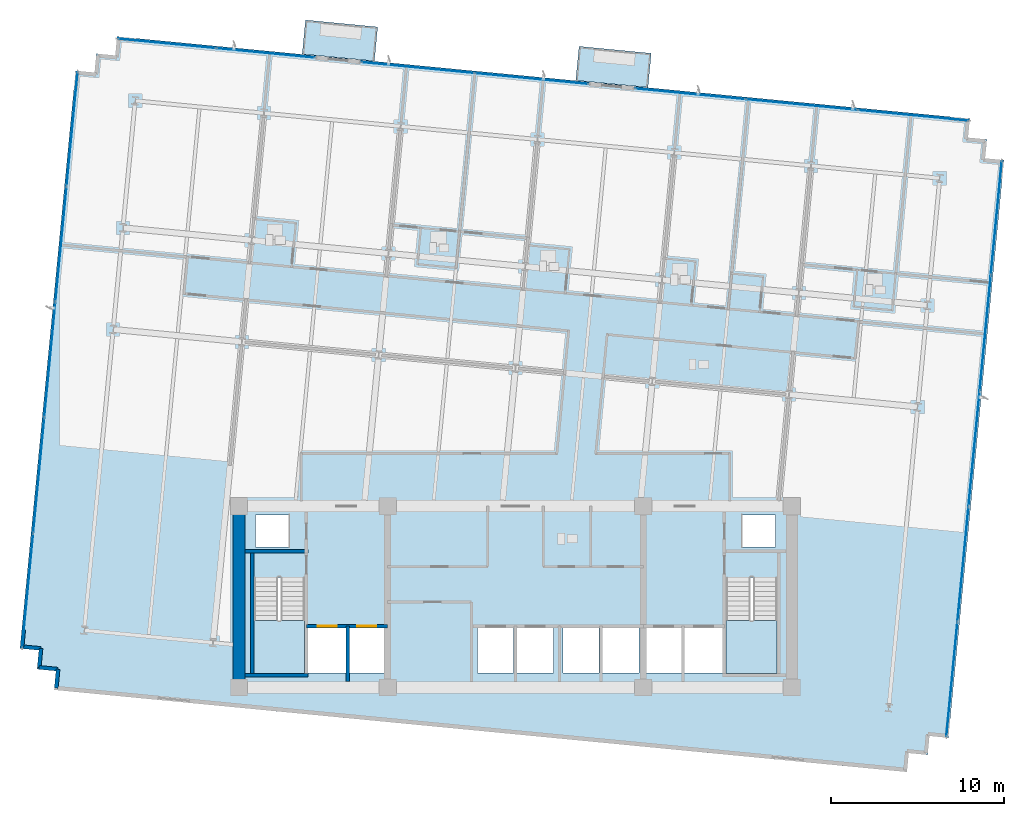
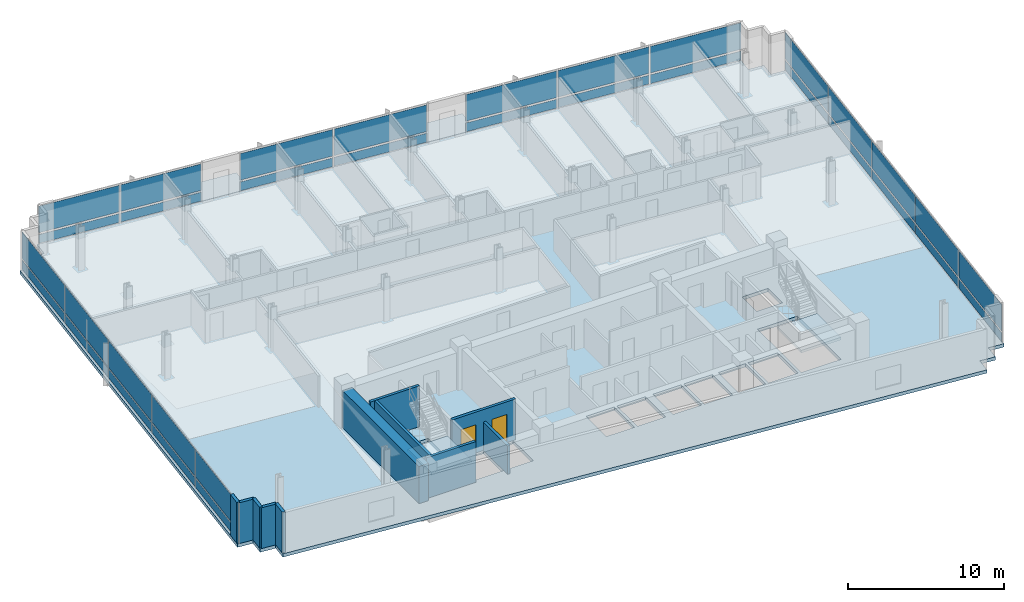
# One storey, part 9 of 17: 34 plates, 11 walls, 5 slabs, 2 doors, 2 openings, 7 elements without a shape of their own.
"""IFC4 building model written with IfcOpenShell, lengths in metres."""

from ifc_helpers import new_model, si_unit, direction, frame, frame_2d, origin, origin_2d, place, context, subcontext, project, spatial, polyline, rectangle, outline, extrude, material, layer, layer_set, type_object, element, fill, aggregate, save


model = new_model("IFC4")

# Units and contexts
model_context = context("Model", 3, precision=1e-05, world=origin(), true_north=direction((0.0, 1.0)))
body_context = subcontext(model_context, "Body", "Model", "MODEL_VIEW")
ifc_project = project(units=[si_unit("LENGTHUNIT", "METRE"), si_unit("AREAUNIT", "SQUARE_METRE"), si_unit("VOLUMEUNIT", "CUBIC_METRE"), si_unit("PLANEANGLEUNIT", "RADIAN"), si_unit("MASSUNIT", "GRAM", prefix="KILO")], contexts=[model_context])

# Site, building, storey
site_placement = place(None, origin())
site = spatial("IfcSite", under=ifc_project, at=site_placement, CompositionType="ELEMENT")
building_placement = place(site_placement, origin())
building = spatial("IfcBuilding", under=site, at=building_placement, Name="Solmavex Isthmus Hotel", CompositionType="ELEMENT")
storey_placement = place(building_placement, frame((0.0, 0.0, 139.35009765625)))
storey = spatial("IfcBuildingStorey", under=building, at=storey_placement, Name="L37", CompositionType="ELEMENT", Elevation=139.35009765625)

# Curtain wall, plates
ifc_material_1 = material(Name="Aluminium alloy 6063-T6", Category="aluminium")
curtain_wall_type = type_object("IfcCurtainWallType", Name="CW-SYS-03", PredefinedType="NOTDEFINED", material=ifc_material_1)
curtain_wall_1_placement = place(storey_placement, origin())
curtain_wall_1 = element("IfcCurtainWall", 1, at=curtain_wall_1_placement, inside=storey, type_object=curtain_wall_type, Name="Stick Curtain Wall CWL-L37-N1", PredefinedType="NOTDEFINED")
ifc_material_2 = material(Name="Clear low-E laminated glass", Category="glass")
ifc_layer_1 = layer(ifc_material_2, 0.030029296875)
ifc_layer_set_1 = layer_set([ifc_layer_1], Name="Clear low-E laminated glass")
plate_type = type_object("IfcPlateType", Name="CW-SYS-03-PNL", PredefinedType="CURTAIN_PANEL", material=ifc_layer_set_1)
plate_1_placement = place(storey_placement, frame((-20.1806640625, 24.291259765625, 0.139892578125), z_axis=(0.0, 0.0, 1.0), x_axis=(0.995396220659, -0.095845521008, 0.0)))
plate_1 = element("IfcPlate", 2, at=plate_1_placement, type_object=plate_type, Name="CW-03 panel 1.1", PredefinedType="CURTAIN_PANEL", context=body_context, shape_type="SweptSolid", body=[
    extrude(rectangle(XDim=5.677978515625, YDim=0.030029296875, at=origin_2d()), origin(), (0.0, 0.0, 1.0), 0.68994140625),
])
plate_2_placement = place(storey_placement, frame((-20.1806640625, 24.291259765625, 0.969970703125), z_axis=(0.0, 0.0, 1.0), x_axis=(0.995396220659, -0.095845521008, 0.0)))
plate_2 = element("IfcPlate", 3, at=plate_2_placement, type_object=plate_type, Name="CW-03 panel 1.2", PredefinedType="CURTAIN_PANEL", context=body_context, shape_type="SweptSolid", body=[
    extrude(rectangle(XDim=5.677978515625, YDim=0.030029296875, at=origin_2d()), origin(), (0.0, 0.0, 1.0), 2.080078125),
])
plate_3_placement = place(storey_placement, frame((-14.459228515625, 23.740234375, 0.139892578125), z_axis=(0.0, 0.0, 1.0), x_axis=(0.995396220659, -0.095845521008, 0.0)))
plate_3 = element("IfcPlate", 4, at=plate_3_placement, type_object=plate_type, Name="CW-03 panel 2.1", PredefinedType="CURTAIN_PANEL", context=body_context, shape_type="SweptSolid", body=[
    extrude(rectangle(XDim=5.677978515625, YDim=0.030029296875, at=origin_2d()), origin(), (0.0, 0.0, 1.0), 0.68994140625),
])
plate_4_placement = place(storey_placement, frame((-14.459228515625, 23.740234375, 0.969970703125), z_axis=(0.0, 0.0, 1.0), x_axis=(0.995396220659, -0.095845521008, 0.0)))
plate_4 = element("IfcPlate", 5, at=plate_4_placement, type_object=plate_type, Name="CW-03 panel 2.2", PredefinedType="CURTAIN_PANEL", context=body_context, shape_type="SweptSolid", body=[
    extrude(rectangle(XDim=5.677978515625, YDim=0.030029296875, at=origin_2d()), origin(), (0.0, 0.0, 1.0), 2.080078125),
])
aggregate(curtain_wall_1, [plate_1, plate_2, plate_3, plate_4])

curtain_wall_2_placement = place(storey_placement, origin())
curtain_wall_2 = element("IfcCurtainWall", 6, at=curtain_wall_2_placement, inside=storey, type_object=curtain_wall_type, Name="Stick Curtain Wall CWL-L37-N2", PredefinedType="NOTDEFINED")
plate_5_placement = place(storey_placement, frame((-5.645263671875, 22.8916015625, 0.139892578125), z_axis=(0.0, 0.0, 1.0), x_axis=(0.995396257521, -0.095845138178, 0.0)))
plate_5 = element("IfcPlate", 7, at=plate_5_placement, type_object=plate_type, Name="CW-03 panel 1.1", PredefinedType="CURTAIN_PANEL", context=body_context, shape_type="SweptSolid", body=[
    extrude(rectangle(XDim=6.551025390625, YDim=0.030029296875, at=origin_2d()), origin(), (0.0, 0.0, 1.0), 0.68994140625),
])
plate_6_placement = place(storey_placement, frame((-5.645263671875, 22.8916015625, 0.969970703125), z_axis=(0.0, 0.0, 1.0), x_axis=(0.995396257521, -0.095845138178, 0.0)))
plate_6 = element("IfcPlate", 8, at=plate_6_placement, type_object=plate_type, Name="CW-03 panel 1.2", PredefinedType="CURTAIN_PANEL", context=body_context, shape_type="SweptSolid", body=[
    extrude(rectangle(XDim=6.551025390625, YDim=0.030029296875, at=origin_2d()), origin(), (0.0, 0.0, 1.0), 2.080078125),
])
plate_7_placement = place(storey_placement, frame((0.945068359375, 22.257080078125, 0.139892578125), z_axis=(0.0, 0.0, 1.0), x_axis=(0.995396257521, -0.095845138178, 0.0)))
plate_7 = element("IfcPlate", 9, at=plate_7_placement, type_object=plate_type, Name="CW-03 panel 2.1", PredefinedType="CURTAIN_PANEL", context=body_context, shape_type="SweptSolid", body=[
    extrude(rectangle(XDim=6.551025390625, YDim=0.030029296875, at=origin_2d()), origin(), (0.0, 0.0, 1.0), 0.68994140625),
])
plate_8_placement = place(storey_placement, frame((0.945068359375, 22.257080078125, 0.969970703125), z_axis=(0.0, 0.0, 1.0), x_axis=(0.995396257521, -0.095845138178, 0.0)))
plate_8 = element("IfcPlate", 10, at=plate_8_placement, type_object=plate_type, Name="CW-03 panel 2.2", PredefinedType="CURTAIN_PANEL", context=body_context, shape_type="SweptSolid", body=[
    extrude(rectangle(XDim=6.551025390625, YDim=0.030029296875, at=origin_2d()), origin(), (0.0, 0.0, 1.0), 2.080078125),
])
aggregate(curtain_wall_2, [plate_5, plate_6, plate_7, plate_8])

curtain_wall_3_placement = place(storey_placement, origin())
curtain_wall_3 = element("IfcCurtainWall", 11, at=curtain_wall_3_placement, inside=storey, type_object=curtain_wall_type, Name="Stick Curtain Wall CWL-L37-N3", PredefinedType="NOTDEFINED")
plate_9_placement = place(storey_placement, frame((10.119384765625, 21.373779296875, 0.139892578125), z_axis=(0.0, 0.0, 1.0), x_axis=(0.995396200025, -0.095845735304, 0.0)))
plate_9 = element("IfcPlate", 12, at=plate_9_placement, type_object=plate_type, Name="CW-03 panel 1.1", PredefinedType="CURTAIN_PANEL", context=body_context, shape_type="SweptSolid", body=[
    extrude(rectangle(XDim=6.40234375, YDim=0.030029296875, at=origin_2d()), origin(), (0.0, 0.0, 1.0), 0.68994140625),
])
plate_10_placement = place(storey_placement, frame((10.119384765625, 21.373779296875, 0.969970703125), z_axis=(0.0, 0.0, 1.0), x_axis=(0.995396200025, -0.095845735304, 0.0)))
plate_10 = element("IfcPlate", 13, at=plate_10_placement, type_object=plate_type, Name="CW-03 panel 1.2", PredefinedType="CURTAIN_PANEL", context=body_context, shape_type="SweptSolid", body=[
    extrude(rectangle(XDim=6.40234375, YDim=0.030029296875, at=origin_2d()), origin(), (0.0, 0.0, 1.0), 2.080078125),
])
plate_11_placement = place(storey_placement, frame((16.579345703125, 20.751708984375, 0.139892578125), z_axis=(0.0, 0.0, 1.0), x_axis=(0.995396200025, -0.095845735304, 0.0)))
plate_11 = element("IfcPlate", 14, at=plate_11_placement, type_object=plate_type, Name="CW-03 panel 2.1", PredefinedType="CURTAIN_PANEL", context=body_context, shape_type="SweptSolid", body=[
    extrude(rectangle(XDim=6.437255859375, YDim=0.030029296875, at=origin_2d()), origin(), (0.0, 0.0, 1.0), 0.68994140625),
])
plate_12_placement = place(storey_placement, frame((16.579345703125, 20.751708984375, 0.969970703125), z_axis=(0.0, 0.0, 1.0), x_axis=(0.995396200025, -0.095845735304, 0.0)))
plate_12 = element("IfcPlate", 15, at=plate_12_placement, type_object=plate_type, Name="CW-03 panel 2.2", PredefinedType="CURTAIN_PANEL", context=body_context, shape_type="SweptSolid", body=[
    extrude(rectangle(XDim=6.437255859375, YDim=0.030029296875, at=origin_2d()), origin(), (0.0, 0.0, 1.0), 2.080078125),
])
plate_13_placement = place(storey_placement, frame((23.039306640625, 20.129638671875, 0.139892578125), z_axis=(0.0, 0.0, 1.0), x_axis=(0.995396200025, -0.095845735304, 0.0)))
plate_13 = element("IfcPlate", 16, at=plate_13_placement, type_object=plate_type, Name="CW-03 panel 3.1", PredefinedType="CURTAIN_PANEL", context=body_context, shape_type="SweptSolid", body=[
    extrude(rectangle(XDim=6.40234375, YDim=0.030029296875, at=origin_2d()), origin(), (0.0, 0.0, 1.0), 0.68994140625),
])
plate_14_placement = place(storey_placement, frame((23.039306640625, 20.129638671875, 0.969970703125), z_axis=(0.0, 0.0, 1.0), x_axis=(0.995396200025, -0.095845735304, 0.0)))
plate_14 = element("IfcPlate", 17, at=plate_14_placement, type_object=plate_type, Name="CW-03 panel 3.2", PredefinedType="CURTAIN_PANEL", context=body_context, shape_type="SweptSolid", body=[
    extrude(rectangle(XDim=6.40234375, YDim=0.030029296875, at=origin_2d()), origin(), (0.0, 0.0, 1.0), 2.080078125),
])
aggregate(curtain_wall_3, [plate_9, plate_10, plate_11, plate_12, plate_13, plate_14])

curtain_wall_4_placement = place(storey_placement, origin())
curtain_wall_4 = element("IfcCurtainWall", 18, at=curtain_wall_4_placement, inside=storey, type_object=curtain_wall_type, Name="Stick Curtain Wall CWL-L37-W1", PredefinedType="NOTDEFINED")
plate_15_placement = place(storey_placement, frame((-28.24267578125, -7.38427734375, 0.139892578125), z_axis=(0.0, 0.0, 1.0), x_axis=(0.09584583902, 0.995396190038, 0.0)))
plate_15 = element("IfcPlate", 19, at=plate_15_placement, type_object=plate_type, Name="CW-03 panel 1.1", PredefinedType="CURTAIN_PANEL", context=body_context, shape_type="SweptSolid", body=[
    extrude(rectangle(XDim=6.614990234375, YDim=0.030029296875, at=origin_2d()), origin(), (0.0, 0.0, 1.0), 0.68994140625),
])
plate_16_placement = place(storey_placement, frame((-28.24267578125, -7.38427734375, 0.969970703125), z_axis=(0.0, 0.0, 1.0), x_axis=(0.09584583902, 0.995396190038, 0.0)))
plate_16 = element("IfcPlate", 20, at=plate_16_placement, type_object=plate_type, Name="CW-03 panel 1.2", PredefinedType="CURTAIN_PANEL", context=body_context, shape_type="SweptSolid", body=[
    extrude(rectangle(XDim=6.614990234375, YDim=0.030029296875, at=origin_2d()), origin(), (0.0, 0.0, 1.0), 2.080078125),
])
plate_17_placement = place(storey_placement, frame((-27.600341796875, -0.712646484375, 0.139892578125), z_axis=(0.0, 0.0, 1.0), x_axis=(0.09584583902, 0.995396190038, 0.0)))
plate_17 = element("IfcPlate", 21, at=plate_17_placement, type_object=plate_type, Name="CW-03 panel 2.1", PredefinedType="CURTAIN_PANEL", context=body_context, shape_type="SweptSolid", body=[
    extrude(rectangle(XDim=6.64990234375, YDim=0.030029296875, at=origin_2d()), origin(), (0.0, 0.0, 1.0), 0.68994140625),
])
plate_18_placement = place(storey_placement, frame((-27.600341796875, -0.712646484375, 0.969970703125), z_axis=(0.0, 0.0, 1.0), x_axis=(0.09584583902, 0.995396190038, 0.0)))
plate_18 = element("IfcPlate", 22, at=plate_18_placement, type_object=plate_type, Name="CW-03 panel 2.2", PredefinedType="CURTAIN_PANEL", context=body_context, shape_type="SweptSolid", body=[
    extrude(rectangle(XDim=6.64990234375, YDim=0.030029296875, at=origin_2d()), origin(), (0.0, 0.0, 1.0), 2.080078125),
])
plate_19_placement = place(storey_placement, frame((-26.956298828125, 5.976318359375, 0.139892578125), z_axis=(0.0, 0.0, 1.0), x_axis=(0.09584583902, 0.995396190038, 0.0)))
plate_19 = element("IfcPlate", 23, at=plate_19_placement, type_object=plate_type, Name="CW-03 panel 3.1", PredefinedType="CURTAIN_PANEL", context=body_context, shape_type="SweptSolid", body=[
    extrude(rectangle(XDim=6.64990234375, YDim=0.030029296875, at=origin_2d()), origin(), (0.0, 0.0, 1.0), 0.68994140625),
])
plate_20_placement = place(storey_placement, frame((-26.956298828125, 5.976318359375, 0.969970703125), z_axis=(0.0, 0.0, 1.0), x_axis=(0.09584583902, 0.995396190038, 0.0)))
plate_20 = element("IfcPlate", 24, at=plate_20_placement, type_object=plate_type, Name="CW-03 panel 3.2", PredefinedType="CURTAIN_PANEL", context=body_context, shape_type="SweptSolid", body=[
    extrude(rectangle(XDim=6.64990234375, YDim=0.030029296875, at=origin_2d()), origin(), (0.0, 0.0, 1.0), 2.080078125),
])
plate_21_placement = place(storey_placement, frame((-26.312255859375, 12.665283203125, 0.139892578125), z_axis=(0.0, 0.0, 1.0), x_axis=(0.09584583902, 0.995396190038, 0.0)))
plate_21 = element("IfcPlate", 25, at=plate_21_placement, type_object=plate_type, Name="CW-03 panel 4.1", PredefinedType="CURTAIN_PANEL", context=body_context, shape_type="SweptSolid", body=[
    extrude(rectangle(XDim=6.64990234375, YDim=0.030029296875, at=origin_2d()), origin(), (0.0, 0.0, 1.0), 0.68994140625),
])
plate_22_placement = place(storey_placement, frame((-26.312255859375, 12.665283203125, 0.969970703125), z_axis=(0.0, 0.0, 1.0), x_axis=(0.09584583902, 0.995396190038, 0.0)))
plate_22 = element("IfcPlate", 26, at=plate_22_placement, type_object=plate_type, Name="CW-03 panel 4.2", PredefinedType="CURTAIN_PANEL", context=body_context, shape_type="SweptSolid", body=[
    extrude(rectangle(XDim=6.64990234375, YDim=0.030029296875, at=origin_2d()), origin(), (0.0, 0.0, 1.0), 2.080078125),
])
plate_23_placement = place(storey_placement, frame((-25.669677734375, 19.337158203125, 0.139892578125), z_axis=(0.0, 0.0, 1.0), x_axis=(0.09584583902, 0.995396190038, 0.0)))
plate_23 = element("IfcPlate", 27, at=plate_23_placement, type_object=plate_type, Name="CW-03 panel 5.1", PredefinedType="CURTAIN_PANEL", context=body_context, shape_type="SweptSolid", body=[
    extrude(rectangle(XDim=6.614990234375, YDim=0.030029296875, at=origin_2d()), origin(), (0.0, 0.0, 1.0), 0.68994140625),
])
plate_24_placement = place(storey_placement, frame((-25.669677734375, 19.337158203125, 0.969970703125), z_axis=(0.0, 0.0, 1.0), x_axis=(0.09584583902, 0.995396190038, 0.0)))
plate_24 = element("IfcPlate", 28, at=plate_24_placement, type_object=plate_type, Name="CW-03 panel 5.2", PredefinedType="CURTAIN_PANEL", context=body_context, shape_type="SweptSolid", body=[
    extrude(rectangle(XDim=6.614990234375, YDim=0.030029296875, at=origin_2d()), origin(), (0.0, 0.0, 1.0), 2.080078125),
])
aggregate(curtain_wall_4, [plate_15, plate_16, plate_17, plate_18, plate_19, plate_20, plate_21, plate_22, plate_23, plate_24])

curtain_wall_5_placement = place(storey_placement, origin())
curtain_wall_5 = element("IfcCurtainWall", 29, at=curtain_wall_5_placement, inside=storey, type_object=curtain_wall_type, Name="Stick Curtain Wall CWL-L37-E1", PredefinedType="NOTDEFINED")
plate_25_placement = place(storey_placement, frame((25.269775390625, -12.537109375, 0.139892578125), z_axis=(0.0, 0.0, 1.0), x_axis=(0.09584583902, 0.995396190038, 0.0)))
plate_25 = element("IfcPlate", 30, at=plate_25_placement, type_object=plate_type, Name="CW-03 panel 1.1", PredefinedType="CURTAIN_PANEL", context=body_context, shape_type="SweptSolid", body=[
    extrude(rectangle(XDim=6.614990234375, YDim=0.030029296875, at=origin_2d()), origin(), (0.0, 0.0, 1.0), 0.68994140625),
])
plate_26_placement = place(storey_placement, frame((25.269775390625, -12.537109375, 0.969970703125), z_axis=(0.0, 0.0, 1.0), x_axis=(0.09584583902, 0.995396190038, 0.0)))
plate_26 = element("IfcPlate", 31, at=plate_26_placement, type_object=plate_type, Name="CW-03 panel 1.2", PredefinedType="CURTAIN_PANEL", context=body_context, shape_type="SweptSolid", body=[
    extrude(rectangle(XDim=6.614990234375, YDim=0.030029296875, at=origin_2d()), origin(), (0.0, 0.0, 1.0), 2.080078125),
])
plate_27_placement = place(storey_placement, frame((25.912109375, -5.865478515625, 0.139892578125), z_axis=(0.0, 0.0, 1.0), x_axis=(0.09584583902, 0.995396190038, 0.0)))
plate_27 = element("IfcPlate", 32, at=plate_27_placement, type_object=plate_type, Name="CW-03 panel 2.1", PredefinedType="CURTAIN_PANEL", context=body_context, shape_type="SweptSolid", body=[
    extrude(rectangle(XDim=6.64990234375, YDim=0.030029296875, at=origin_2d()), origin(), (0.0, 0.0, 1.0), 0.68994140625),
])
plate_28_placement = place(storey_placement, frame((25.912109375, -5.865478515625, 0.969970703125), z_axis=(0.0, 0.0, 1.0), x_axis=(0.09584583902, 0.995396190038, 0.0)))
plate_28 = element("IfcPlate", 33, at=plate_28_placement, type_object=plate_type, Name="CW-03 panel 2.2", PredefinedType="CURTAIN_PANEL", context=body_context, shape_type="SweptSolid", body=[
    extrude(rectangle(XDim=6.64990234375, YDim=0.030029296875, at=origin_2d()), origin(), (0.0, 0.0, 1.0), 2.080078125),
])
plate_29_placement = place(storey_placement, frame((26.55615234375, 0.82373046875, 0.139892578125), z_axis=(0.0, 0.0, 1.0), x_axis=(0.09584583902, 0.995396190038, 0.0)))
plate_29 = element("IfcPlate", 34, at=plate_29_placement, type_object=plate_type, Name="CW-03 panel 3.1", PredefinedType="CURTAIN_PANEL", context=body_context, shape_type="SweptSolid", body=[
    extrude(rectangle(XDim=6.64990234375, YDim=0.030029296875, at=origin_2d()), origin(), (0.0, 0.0, 1.0), 0.68994140625),
])
plate_30_placement = place(storey_placement, frame((26.55615234375, 0.82373046875, 0.969970703125), z_axis=(0.0, 0.0, 1.0), x_axis=(0.09584583902, 0.995396190038, 0.0)))
plate_30 = element("IfcPlate", 35, at=plate_30_placement, type_object=plate_type, Name="CW-03 panel 3.2", PredefinedType="CURTAIN_PANEL", context=body_context, shape_type="SweptSolid", body=[
    extrude(rectangle(XDim=6.64990234375, YDim=0.030029296875, at=origin_2d()), origin(), (0.0, 0.0, 1.0), 2.080078125),
])
plate_31_placement = place(storey_placement, frame((27.200439453125, 7.5126953125, 0.139892578125), z_axis=(0.0, 0.0, 1.0), x_axis=(0.09584583902, 0.995396190038, 0.0)))
plate_31 = element("IfcPlate", 36, at=plate_31_placement, type_object=plate_type, Name="CW-03 panel 4.1", PredefinedType="CURTAIN_PANEL", context=body_context, shape_type="SweptSolid", body=[
    extrude(rectangle(XDim=6.64990234375, YDim=0.030029296875, at=origin_2d()), origin(), (0.0, 0.0, 1.0), 0.68994140625),
])
plate_32_placement = place(storey_placement, frame((27.200439453125, 7.5126953125, 0.969970703125), z_axis=(0.0, 0.0, 1.0), x_axis=(0.09584583902, 0.995396190038, 0.0)))
plate_32 = element("IfcPlate", 37, at=plate_32_placement, type_object=plate_type, Name="CW-03 panel 4.2", PredefinedType="CURTAIN_PANEL", context=body_context, shape_type="SweptSolid", body=[
    extrude(rectangle(XDim=6.64990234375, YDim=0.030029296875, at=origin_2d()), origin(), (0.0, 0.0, 1.0), 2.080078125),
])
plate_33_placement = place(storey_placement, frame((27.8427734375, 14.184326171875, 0.139892578125), z_axis=(0.0, 0.0, 1.0), x_axis=(0.09584583902, 0.995396190038, 0.0)))
plate_33 = element("IfcPlate", 38, at=plate_33_placement, type_object=plate_type, Name="CW-03 panel 5.1", PredefinedType="CURTAIN_PANEL", context=body_context, shape_type="SweptSolid", body=[
    extrude(rectangle(XDim=6.614990234375, YDim=0.030029296875, at=origin_2d()), origin(), (0.0, 0.0, 1.0), 0.68994140625),
])
plate_34_placement = place(storey_placement, frame((27.8427734375, 14.184326171875, 0.969970703125), z_axis=(0.0, 0.0, 1.0), x_axis=(0.09584583902, 0.995396190038, 0.0)))
plate_34 = element("IfcPlate", 39, at=plate_34_placement, type_object=plate_type, Name="CW-03 panel 5.2", PredefinedType="CURTAIN_PANEL", context=body_context, shape_type="SweptSolid", body=[
    extrude(rectangle(XDim=6.614990234375, YDim=0.030029296875, at=origin_2d()), origin(), (0.0, 0.0, 1.0), 2.080078125),
])
aggregate(curtain_wall_5, [plate_25, plate_26, plate_27, plate_28, plate_29, plate_30, plate_31, plate_32, plate_33, plate_34])

# Slabs
ifc_material_3 = material(Name="Concrete C40/50", Category="concrete")
ifc_layer_2 = layer(ifc_material_3, 0.239990234375)
ifc_layer_set_2 = layer_set([ifc_layer_2], Name="Concrete C40/50")
slab_type_1 = type_object("IfcSlabType", Name="SLAB-BALC-240", PredefinedType="FLOOR", material=ifc_layer_set_2)
slab_1_placement = place(storey_placement, frame((0.0, 0.0, -0.239990234375)))
element("IfcSlab", 40, at=slab_1_placement, inside=storey, type_object=slab_type_1, Name="Tree-Planter Balcony Slab L37-B1", PredefinedType="FLOOR", context=body_context, shape_type="SweptSolid", body=[
    extrude(outline(polyline([(-12.346923828125, 23.672607421875), (-8.166259765625, 23.27001953125), (-7.97607421875, 25.245849609375), (-12.15673828125, 25.6484375), (-12.346923828125, 23.672607421875)])), origin(), (0.0, 0.0, 1.0), 0.239990234375),
])
slab_2_placement = place(storey_placement, frame((0.0, 0.0, -0.239990234375)))
element("IfcSlab", 41, at=slab_2_placement, inside=storey, type_object=slab_type_1, Name="Tree-Planter Balcony Slab L37-B2", PredefinedType="FLOOR", context=body_context, shape_type="SweptSolid", body=[
    extrude(outline(polyline([(3.491943359375, 22.1474609375), (7.672607421875, 21.744873046875), (7.86279296875, 23.720703125), (3.68212890625, 24.123291015625), (3.491943359375, 22.1474609375)])), origin(), (0.0, 0.0, 1.0), 0.239990234375),
])
ifc_layer_3 = layer(ifc_material_3, 0.260009765625)
ifc_layer_set_3 = layer_set([ifc_layer_3], Name="Concrete C40/50")
slab_type_2 = type_object("IfcSlabType", Name="SLAB-TYP-260", PredefinedType="FLOOR", material=ifc_layer_set_3)
slab_3_placement = place(storey_placement, frame((0.0, 0.0, -0.260009765625)))
element("IfcSlab", 42, at=slab_3_placement, inside=storey, type_object=slab_type_2, Name="Tower Structural Floor Slab L37", PredefinedType="FLOOR", context=body_context, shape_type="SweptSolid", body=[
    extrude(outline(polyline([(-25.612060546875, -13.240966796875), (21.56982421875, -17.7841796875), (22.664794921875, -17.889404296875), (22.770263671875, -16.794677734375), (23.865234375, -16.89990234375), (23.970458984375, -15.80517578125), (25.0654296875, -15.910400390625), (25.1708984375, -14.815673828125), (28.180419921875, 16.43994140625), (28.285888671875, 17.534912109375), (27.19091796875, 17.64013671875), (27.29638671875, 18.735107421875), (26.201416015625, 18.840576171875), (26.306884765625, 19.935546875), (25.2119140625, 20.041015625), (-21.9697265625, 24.583984375), (-23.064697265625, 24.689453125), (-23.170166015625, 23.594482421875), (-24.26513671875, 23.699951171875), (-24.37060546875, 22.60498046875), (-25.465576171875, 22.71044921875), (-25.57080078125, 21.615478515625), (-28.58056640625, -9.639892578125), (-28.685791015625, -10.73486328125), (-27.591064453125, -10.84033203125), (-27.6962890625, -11.935302734375), (-26.6015625, -12.04052734375), (-26.706787109375, -13.135498046875), (-25.612060546875, -13.240966796875)]), holes=[polyline([(-15.14990234375, -6.617919921875), (-15.14990234375, -12.199951171875), (-12.199951171875, -12.199951171875), (-12.199951171875, -6.617919921875), (-15.14990234375, -6.617919921875)]), polyline([(12.199951171875, -6.617919921875), (12.199951171875, -12.199951171875), (15.14990234375, -12.199951171875), (15.14990234375, -6.617919921875), (12.199951171875, -6.617919921875)]), polyline([(-12.0, -12.14990234375), (-9.800048828125, -12.14990234375), (-9.800048828125, -9.550048828125), (-12.0, -9.550048828125), (-12.0, -12.14990234375)]), polyline([(9.800048828125, -12.14990234375), (12.0, -12.14990234375), (12.0, -9.550048828125), (9.800048828125, -9.550048828125), (9.800048828125, -12.14990234375)]), polyline([(-9.60009765625, -12.14990234375), (-7.60009765625, -12.14990234375), (-7.60009765625, -9.550048828125), (-9.60009765625, -9.550048828125), (-9.60009765625, -12.14990234375)]), polyline([(7.60009765625, -12.14990234375), (9.60009765625, -12.14990234375), (9.60009765625, -9.550048828125), (7.60009765625, -9.550048828125), (7.60009765625, -12.14990234375)]), polyline([(-2.199951171875, -12.14990234375), (-0.10009765625, -12.14990234375), (-0.10009765625, -9.550048828125), (-2.199951171875, -9.550048828125), (-2.199951171875, -12.14990234375)]), polyline([(0.10009765625, -12.14990234375), (2.199951171875, -12.14990234375), (2.199951171875, -9.550048828125), (0.10009765625, -9.550048828125), (0.10009765625, -12.14990234375)]), polyline([(2.75, -12.14990234375), (4.85009765625, -12.14990234375), (4.85009765625, -9.550048828125), (2.75, -9.550048828125), (2.75, -12.14990234375)]), polyline([(5.050048828125, -12.14990234375), (7.14990234375, -12.14990234375), (7.14990234375, -9.550048828125), (5.050048828125, -9.550048828125), (5.050048828125, -12.14990234375)]), polyline([(-15.050048828125, -4.85009765625), (-13.14990234375, -4.85009765625), (-13.14990234375, -3.0), (-15.050048828125, -3.0), (-15.050048828125, -4.85009765625)]), polyline([(13.14990234375, -4.85009765625), (15.050048828125, -4.85009765625), (15.050048828125, -3.0), (13.14990234375, -3.0), (13.14990234375, -4.85009765625)])]), origin(), (0.0, 0.0, 1.0), 0.260009765625),
])

# Stair, slab
stair_type_1 = type_object("IfcStairType", Name="STR-ST-1", PredefinedType="HALF_TURN_STAIR", material=ifc_material_3)
stair_1_placement = place(storey_placement, origin())
stair_1 = element("IfcStair", 43, at=stair_1_placement, inside=storey, type_object=stair_type_1, Name="L37 Protected Exit Stair ST-1", PredefinedType="HALF_TURN_STAIR")
ifc_layer_4 = layer(ifc_material_3, 0.219970703125)
ifc_layer_set_4 = layer_set([ifc_layer_4], Name="Concrete C40/50")
slab_type_3 = type_object("IfcSlabType", Name="SLD-ST-1", PredefinedType="LANDING", material=ifc_layer_set_4)
slab_4_placement = place(storey_placement, frame((0.0, 0.0, 1.52490234375)))
slab_4 = element("IfcSlab", 44, at=slab_4_placement, type_object=slab_type_3, Name="ST-1 landing 1", PredefinedType="LANDING", context=body_context, shape_type="SweptSolid", body=[
    extrude(outline(polyline([(-15.14990234375, -9.1201171875), (-15.14990234375, -12.199951171875), (-12.199951171875, -12.199951171875), (-12.199951171875, -9.1201171875), (-15.14990234375, -9.1201171875)])), origin(), (0.0, 0.0, 1.0), 0.199951171875),
])
aggregate(stair_1, [slab_4])

stair_type_2 = type_object("IfcStairType", Name="STR-ST-2", PredefinedType="HALF_TURN_STAIR", material=ifc_material_3)
stair_2_placement = place(storey_placement, origin())
stair_2 = element("IfcStair", 45, at=stair_2_placement, inside=storey, type_object=stair_type_2, Name="L37 Protected Exit Stair ST-2", PredefinedType="HALF_TURN_STAIR")
ifc_layer_5 = layer(ifc_material_3, 0.219970703125)
ifc_layer_set_5 = layer_set([ifc_layer_5], Name="Concrete C40/50")
slab_type_4 = type_object("IfcSlabType", Name="SLD-ST-2", PredefinedType="LANDING", material=ifc_layer_set_5)
slab_5_placement = place(storey_placement, frame((0.0, 0.0, 1.52490234375)))
slab_5 = element("IfcSlab", 46, at=slab_5_placement, type_object=slab_type_4, Name="ST-2 landing 1", PredefinedType="LANDING", context=body_context, shape_type="SweptSolid", body=[
    extrude(outline(polyline([(12.199951171875, -9.1201171875), (12.199951171875, -12.199951171875), (15.14990234375, -12.199951171875), (15.14990234375, -9.1201171875), (12.199951171875, -9.1201171875)])), origin(), (0.0, 0.0, 1.0), 0.199951171875),
])
aggregate(stair_2, [slab_5])

# Walls
ifc_material_4 = material(Name="Precast Concrete C40/50", Category="concrete")
ifc_layer_6 = layer(ifc_material_4, 0.25)
ifc_layer_set_6 = layer_set([ifc_layer_6], Name="Precast Concrete C40/50")
wall_type_1 = type_object("IfcWallType", Name="EW-TWR-250", PredefinedType="STANDARD", material=ifc_layer_set_6)
for number, where, z_axis, x_axis, name in (
    (47, (-26.5869140625, -13.03662109375, 0.0), (0.0, 0.0, 1.0), (0.095877334176, 0.995393156894, 0.0), "Serrated Corner Facade Panel L37-01"),
    (48, (-26.4814453125, -11.941650390625, 0.0), (0.0, 0.0, 1.0), (-0.995393156894, 0.095877334176, 0.0), "Serrated Corner Facade Panel L37-02"),
    (49, (-27.576416015625, -11.836181640625, 0.0), (0.0, 0.0, 1.0), (0.095877334176, 0.995393156894, 0.0), "Serrated Corner Facade Panel L37-03"),
    (50, (-27.470947265625, -10.7412109375, 0.0), (0.0, 0.0, 1.0), (-0.995414313875, 0.095657429048, 0.0), "Serrated Corner Facade Panel L37-04"),
):
    element("IfcWall", number, at=place(storey_placement, frame(where, z_axis=z_axis, x_axis=x_axis)), inside=storey, type_object=wall_type_1, Name=name, PredefinedType="STANDARD", context=body_context, shape_type="SweptSolid", body=[
        extrude(rectangle(XDim=1.10009765625, YDim=0.219970703125, at=frame_2d((0.550048828125, 0.0))), origin(), (0.0, 0.0, 1.0), 3.18994140625),
    ])
wall_1_placement = place(storey_placement, frame((-28.56591796875, -10.635986328125, 0.0), z_axis=(0.0, 0.0, 1.0), x_axis=(0.095914428506, 0.995389583231, 0.0)))
element("IfcWall", 51, at=wall_1_placement, inside=storey, type_object=wall_type_1, Name="Serrated Corner Facade Panel L37-05", PredefinedType="STANDARD", context=body_context, shape_type="SweptSolid", body=[
    extrude(rectangle(XDim=0.990234375, YDim=0.219970703125, at=frame_2d((0.4951171875, 0.0))), origin(), (0.0, 0.0, 1.0), 3.18994140625),
])

# Wall, openings, doors
ifc_layer_7 = layer(ifc_material_3, 0.199951171875)
ifc_layer_set_7 = layer_set([ifc_layer_7], Name="Concrete C40/50")
wall_type_2 = type_object("IfcWallType", Name="IW-SHAFT-200", PredefinedType="PARTITIONING", material=ifc_layer_set_7)
wall_2_placement = place(storey_placement, frame((-12.10009765625, -9.449951171875, 0.0), z_axis=(0.0, 0.0, 1.0), x_axis=(1.0, 0.0, 0.0)))
wall_2 = element("IfcWall", 52, at=wall_2_placement, inside=storey, type_object=wall_type_2, Name="Interior Partition Wall W-L37-FFLW-S", PredefinedType="PARTITIONING", context=body_context, shape_type="SweptSolid", body=[
    extrude(rectangle(XDim=4.7001953125, YDim=0.199951171875, at=frame_2d((2.35009765625, 0.0))), origin(), (0.0, 0.0, 1.0), 3.18994140625),
])
opening_1_placement = place(wall_2_placement, frame((0.64990234375, 0.0, 0.0)))
opening_1 = element("IfcOpeningElement", 53, at=opening_1_placement, cuts=wall_2, Name="Opening LD-FF", PredefinedType="OPENING", context=body_context, shape_type="SweptSolid", body=[
    extrude(rectangle(XDim=1.10009765625, YDim=2.199951171875, at=frame_2d((0.550048828125, 1.10009765625))), frame((0.0, 0.10986328125, 0.0), z_axis=(0.0, -1.0, 0.0), x_axis=(1.0, 0.0, 0.0)), (0.0, 0.0, 1.0), 0.219970703125),
])
opening_2_placement = place(wall_2_placement, frame((2.949951171875, 0.0, 0.0)))
opening_2 = element("IfcOpeningElement", 54, at=opening_2_placement, cuts=wall_2, Name="Opening LD-SV", PredefinedType="OPENING", context=body_context, shape_type="SweptSolid", body=[
    extrude(rectangle(XDim=1.10009765625, YDim=2.199951171875, at=frame_2d((0.550048828125, 1.10009765625))), frame((0.0, 0.10986328125, 0.0), z_axis=(0.0, -1.0, 0.0), x_axis=(1.0, 0.0, 0.0)), (0.0, 0.0, 1.0), 0.219970703125),
])
ifc_material_5 = material(Name="Stainless steel 316", Category="steel")
door_type_1 = type_object("IfcDoorType", Name="LDR-FF-1100", OperationType="NOTDEFINED", PredefinedType="DOOR", material=ifc_material_5)
door_1_placement = place(opening_1_placement, origin())
door_1 = element("IfcDoor", 55, at=door_1_placement, inside=storey, type_object=door_type_1, Name="Lift Landing Door FFL-1 L37", OperationType="SLIDING_TO_LEFT", OverallHeight=2.199951171875, OverallWidth=1.10009765625, PredefinedType="DOOR", context=body_context, shape_type="SweptSolid", body=[
    extrude(rectangle(XDim=1.10009765625, YDim=2.199951171875, at=frame_2d((0.550048828125, 1.10009765625))), frame((0.0, 0.02490234375, 0.0), z_axis=(0.0, -1.0, 0.0), x_axis=(1.0, 0.0, 0.0)), (0.0, 0.0, 1.0), 0.050048828125),
])
fill(opening_1, door_1)
door_type_2 = type_object("IfcDoorType", Name="LDR-SV-1100", OperationType="NOTDEFINED", PredefinedType="DOOR", material=ifc_material_5)
door_2_placement = place(opening_2_placement, origin())
door_2 = element("IfcDoor", 56, at=door_2_placement, inside=storey, type_object=door_type_2, Name="Lift Landing Door SVL-1 L37", OperationType="SLIDING_TO_RIGHT", OverallHeight=2.199951171875, OverallWidth=1.10009765625, PredefinedType="DOOR", context=body_context, shape_type="SweptSolid", body=[
    extrude(rectangle(XDim=1.10009765625, YDim=2.199951171875, at=frame_2d((0.550048828125, 1.10009765625))), frame((0.0, 0.02490234375, 0.0), z_axis=(0.0, -1.0, 0.0), x_axis=(1.0, 0.0, 0.0)), (0.0, 0.0, 1.0), 0.050048828125),
])
fill(opening_2, door_2)

# Walls
wall_3_placement = place(storey_placement, frame((-9.699951171875, -12.64990234375, 0.0), z_axis=(0.0, 0.0, 1.0), x_axis=(0.0, 1.0, 0.0)))
element("IfcWall", 57, at=wall_3_placement, inside=storey, type_object=wall_type_2, Name="Interior Partition Wall W-L37-FFLW-M", PredefinedType="PARTITIONING", context=body_context, shape_type="SweptSolid", body=[
    extrude(rectangle(XDim=3.199951171875, YDim=0.199951171875, at=frame_2d((1.60009765625, 0.0))), origin(), (0.0, 0.0, 1.0), 2.224853515625),
])
ifc_material_6 = material(Name="Concrete C60/75", Category="concrete")
ifc_layer_8 = layer(ifc_material_6, 0.699951171875)
ifc_layer_set_8 = layer_set([ifc_layer_8], Name="Concrete C60/75")
wall_type_3 = type_object("IfcWallType", Name="WALL-CW-700", PredefinedType="SHEAR", material=ifc_layer_set_8)
wall_4_placement = place(storey_placement, frame((-16.0, -12.64990234375, 0.0), z_axis=(0.0, 0.0, 1.0), x_axis=(0.0, 1.0, 0.0)))
element("IfcWall", 58, at=wall_4_placement, inside=storey, type_object=wall_type_3, Name="Core Shear Wall West L37", PredefinedType="SHEAR", context=body_context, shape_type="SweptSolid", body=[
    extrude(rectangle(XDim=9.7998046875, YDim=0.699951171875, at=frame_2d((4.89990234375, 0.0))), origin(), (0.0, 0.0, 1.0), 2.909912109375),
])
ifc_layer_9 = layer(ifc_material_3, 0.199951171875)
ifc_layer_set_9 = layer_set([ifc_layer_9], Name="Concrete C40/50")
wall_type_4 = type_object("IfcWallType", Name="WALL-SW-200", PredefinedType="SOLIDWALL", material=ifc_layer_set_9)
for number, where, z_axis, x_axis, name in (
    (59, (-15.64990234375, -12.300048828125, 0.0), (0.0, 0.0, 1.0), (1.0, 0.0, 0.0), "Stairwell Structural Wall SW-L37-ST1-S"),
    (60, (-15.64990234375, -5.10009765625, 0.0), (0.0, 0.0, 1.0), (1.0, 0.0, 0.0), "Stairwell Structural Wall SW-L37-ST1-N"),
):
    element("IfcWall", number, at=place(storey_placement, frame(where, z_axis=z_axis, x_axis=x_axis)), inside=storey, type_object=wall_type_4, Name=name, PredefinedType="SOLIDWALL", context=body_context, shape_type="SweptSolid", body=[
        extrude(rectangle(XDim=3.64990234375, YDim=0.199951171875, at=frame_2d((1.824951171875, 0.0))), origin(), (0.0, 0.0, 1.0), 3.18994140625),
    ])
wall_5_placement = place(storey_placement, frame((-15.25, -12.199951171875, 0.0), z_axis=(0.0, 0.0, 1.0), x_axis=(0.0, 1.0, 0.0)))
element("IfcWall", 61, at=wall_5_placement, inside=storey, type_object=wall_type_4, Name="Stairwell Structural Wall SW-L37-ST1-W", PredefinedType="SOLIDWALL", context=body_context, shape_type="SweptSolid", body=[
    extrude(rectangle(XDim=7.0, YDim=0.199951171875, at=frame_2d((3.5, 0.0))), origin(), (0.0, 0.0, 1.0), 3.18994140625),
])

save(model, "model.ifc")
